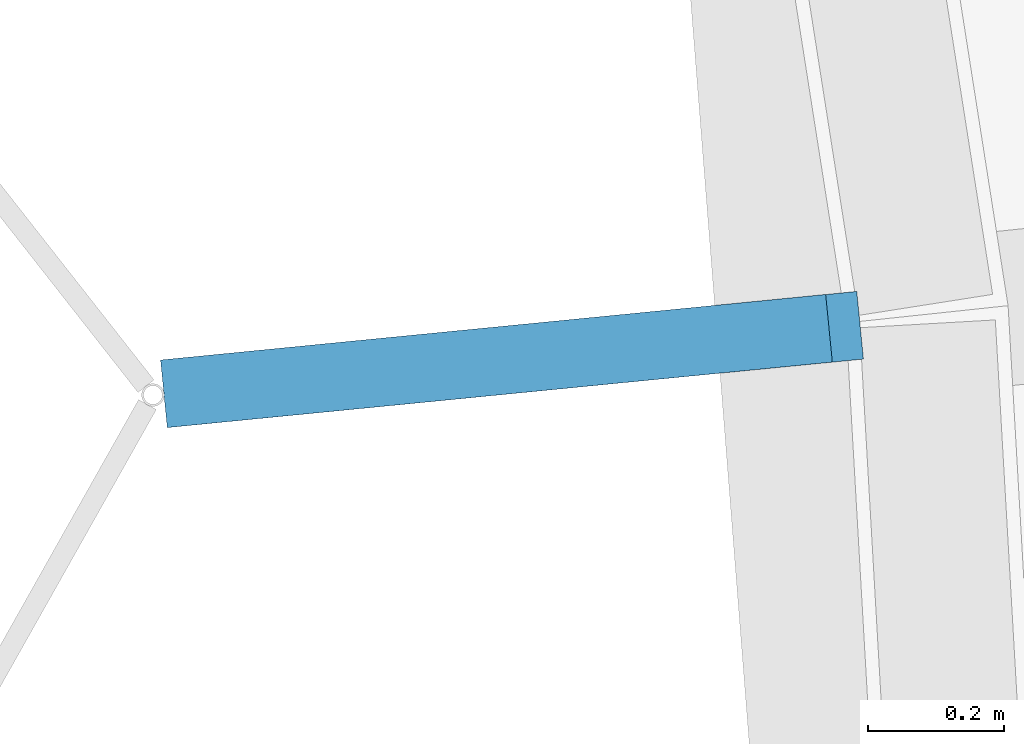
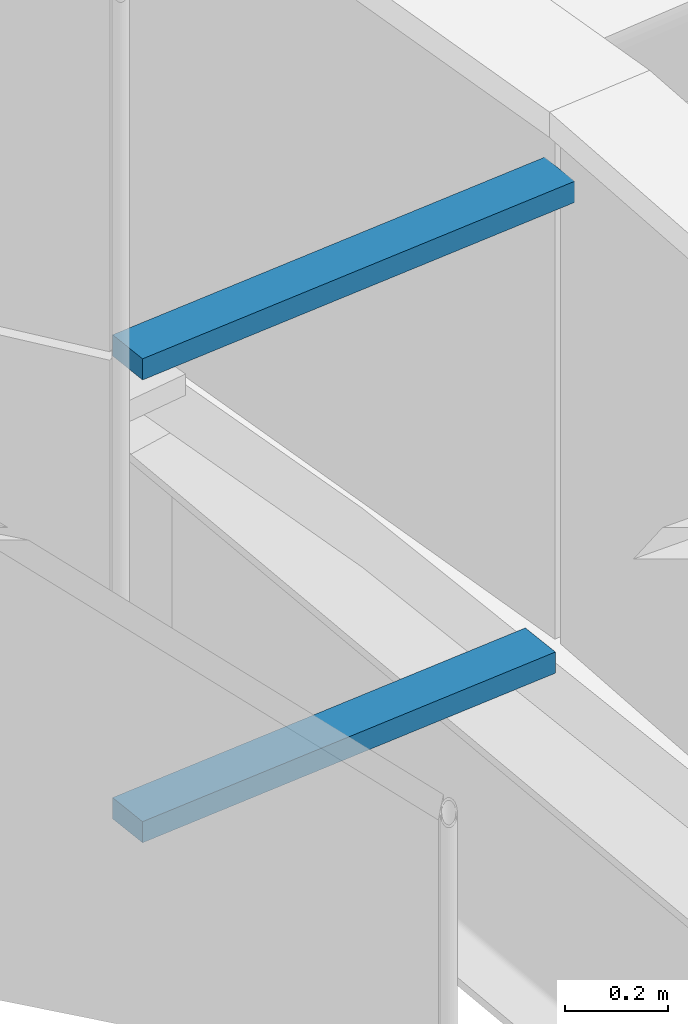
# One storey, part 204 of 483: 2 discrete accessories.
"""IFC4 building model written with IfcOpenShell, lengths in metres."""

from ifc_helpers import new_model, si_unit, direction, frame, origin, origin_2d, place, context, subcontext, project, spatial, rectangle, extrude, material, type_object, element, save


model = new_model("IFC4")

# Units and contexts
model_context = context("Model", 3, precision=1e-05, world=origin(), true_north=direction((0.0, 1.0)))
body_context = subcontext(model_context, "Body", "Model", "MODEL_VIEW")
ifc_project = project(units=[si_unit("LENGTHUNIT", "METRE"), si_unit("AREAUNIT", "SQUARE_METRE"), si_unit("VOLUMEUNIT", "CUBIC_METRE"), si_unit("PLANEANGLEUNIT", "RADIAN"), si_unit("MASSUNIT", "GRAM", prefix="KILO")], contexts=[model_context])

# Site, building, storey
site_placement = place(None, origin())
site = spatial("IfcSite", under=ifc_project, at=site_placement, CompositionType="ELEMENT")
building_placement = place(site_placement, origin())
building = spatial("IfcBuilding", under=site, at=building_placement, Name="Parallax Yard Mobility Hub", CompositionType="ELEMENT")
storey_placement = place(building_placement, frame((0.0, 0.0, 13.199951171875)))
storey = spatial("IfcBuildingStorey", under=building, at=storey_placement, Name="L04", CompositionType="ELEMENT", Elevation=13.199951171875)

# Discrete accessories
ifc_material = material(Name="Steel ASTM A36, hot-dip galvanised", Category="steel")
discrete_accessory_type = type_object("IfcDiscreteAccessoryType", Name="Hinge bracket plate 100x50", PredefinedType="BRACKET", material=ifc_material)
discrete_accessory_1_placement = place(storey_placement, frame((194.376220703125, 92.300537109375, -0.02490234375), z_axis=(0.0, 0.0, 1.0), x_axis=(-0.995184726672, -0.09801714033, 0.0)))
element("IfcDiscreteAccessory", 1, at=discrete_accessory_1_placement, inside=storey, type_object=discrete_accessory_type, Name="Hinge bracket plate bay 22.5 level L04", PredefinedType="BRACKET", context=body_context, shape_type="SweptSolid", body=[
    extrude(rectangle(XDim=0.984130859375, YDim=0.10009765625, at=origin_2d()), origin(), (0.0, 0.0, 1.0), 0.050048828125),
])
discrete_accessory_2_placement = place(storey_placement, frame((194.399169921875, 92.302734375, 1.06982421875), z_axis=(0.0, 0.0, 1.0), x_axis=(-0.995184726672, -0.09801714033, 0.0)))
element("IfcDiscreteAccessory", 2, at=discrete_accessory_2_placement, inside=storey, type_object=discrete_accessory_type, Name="Hinge bracket plate bay 22.5 level L04", PredefinedType="BRACKET", context=body_context, shape_type="SweptSolid", body=[
    extrude(rectangle(XDim=1.030029296875, YDim=0.10009765625, at=origin_2d()), origin(), (0.0, 0.0, 1.0), 0.050048828125),
])

save(model, "model.ifc")
